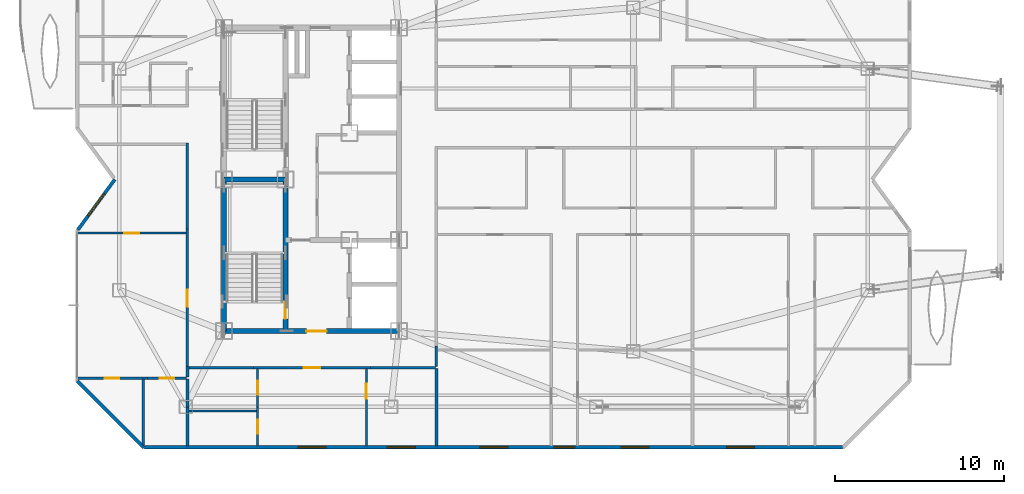
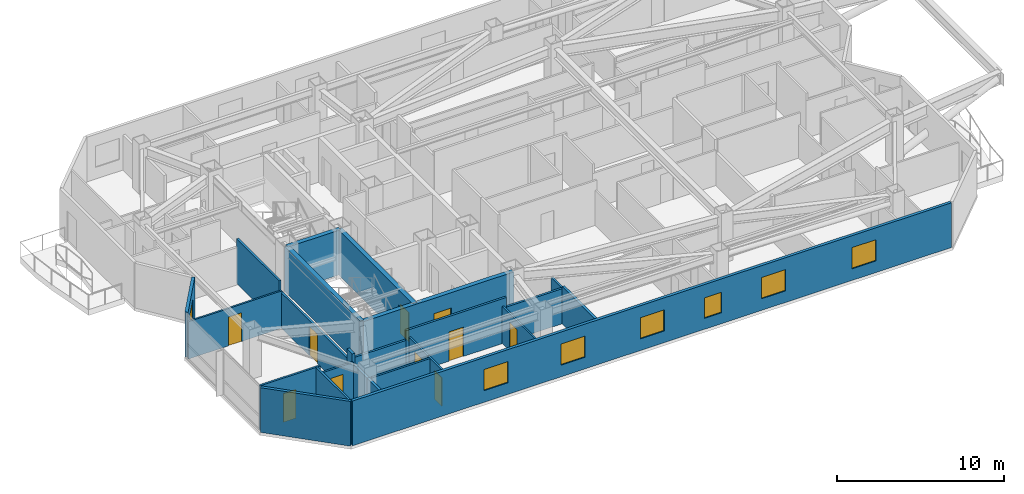
# One storey, part 8 of 14: 25 walls, 10 doors, 7 windows, 17 openings.
"""IFC4 building model written with IfcOpenShell, lengths in metres."""

import ifcopenshell
import ifcopenshell.guid

model = None  # the IFC model being written
_history = None  # IfcOwnerHistory: only IFC2X3 demands one
_inside = {}  # id of a spatial element -> (the spatial element, [elements in it])
_under = {}  # id of a project, library or spatial element -> (it, [spatial elements below it])
_declared = {}  # id of a project -> (the project, [libraries it declares])
_typed = {}  # id of a type object -> (the type object, [elements of that type])
_made_of = {}  # id of a material, layer set ... -> (it, [elements and type objects made of it])


def new_model(schema):
    """Start an empty IFC model of exactly this schema.

    Asked for "IFC4X3", IfcOpenShell would pick the latest addendum, in which some entities
    have other attributes; the version numbers below select the first issue.
    IFC2X3 requires an IfcOwnerHistory on every rooted entity: one is made here for all.
    """
    global model, _history
    if schema == "IFC4X3":
        model = ifcopenshell.file(schema_version=(4, 3, 0, 0))
    else:
        model = ifcopenshell.file(schema=schema)
    _inside.clear()
    _under.clear()
    _declared.clear()
    _typed.clear()
    _made_of.clear()
    _history = None
    if model.schema == "IFC2X3":
        org = make("IfcOrganization", Name="unknown")
        user = make(
            "IfcPersonAndOrganization",
            ThePerson=make("IfcPerson", FamilyName="unknown"),
            TheOrganization=org,
        )
        app = make(
            "IfcApplication",
            ApplicationDeveloper=org,
            Version="unknown",
            ApplicationFullName="unknown",
            ApplicationIdentifier="unknown",
        )
        _history = make(
            "IfcOwnerHistory",
            OwningUser=user,
            OwningApplication=app,
            ChangeAction="ADDED",
            CreationDate=0,
        )
    return model


def make(cls, **values):
    """One entity of the class cls with the attributes given. An attribute that is None is left unset."""
    return model.create_entity(
        cls, **{name: value for name, value in values.items() if value is not None}
    )


def rooted(cls, **values):
    """An entity with a GlobalId (a new one), such as an element, a storey or a relation."""
    return make(cls, GlobalId=ifcopenshell.guid.new(), OwnerHistory=_history, **values)


def si_unit(unit_type, name, prefix=None):
    """IfcSIUnit, for example si_unit("LENGTHUNIT", "METRE", prefix="MILLI")."""
    return make("IfcSIUnit", UnitType=unit_type, Prefix=prefix, Name=name)


def assignment(units):
    """IfcUnitAssignment: the units of a project."""
    return None if units is None else make("IfcUnitAssignment", Units=units)


def point(xyz):
    """IfcCartesianPoint."""
    return None if xyz is None else make("IfcCartesianPoint", Coordinates=xyz)


def direction(xyz):
    """IfcDirection."""
    return None if xyz is None else make("IfcDirection", DirectionRatios=xyz)


def frame(location, z_axis=None, x_axis=None):
    """IfcAxis2Placement3D, a coordinate frame: its origin and axes. An axis left out is left unset."""
    return make(
        "IfcAxis2Placement3D",
        Location=point(location),
        Axis=direction(z_axis),
        RefDirection=direction(x_axis),
    )


def frame_2d(location, x_axis=None):
    """IfcAxis2Placement2D, a coordinate frame in the plane: its origin and x axis."""
    return make(
        "IfcAxis2Placement2D", Location=point(location), RefDirection=direction(x_axis)
    )


def origin():
    """The frame at (0, 0, 0) with its axes left unset."""
    return frame((0.0, 0.0, 0.0))


def place(relative_to, where):
    """IfcLocalPlacement: puts the frame where relative to a parent placement (None: the world)."""
    return make(
        "IfcLocalPlacement", PlacementRelTo=relative_to, RelativePlacement=where
    )


def context(
    kind, dimensions, precision=None, world=None, true_north=None, identifier=None
):
    """IfcGeometricRepresentationContext, for example the 3D "Model" context."""
    return make(
        "IfcGeometricRepresentationContext",
        ContextIdentifier=identifier,
        ContextType=kind,
        CoordinateSpaceDimension=dimensions,
        Precision=precision,
        WorldCoordinateSystem=world,
        TrueNorth=true_north,
    )


def subcontext(parent, identifier, kind, view, scale=None):
    """IfcGeometricRepresentationSubContext, for example "Body" below "Model"."""
    return make(
        "IfcGeometricRepresentationSubContext",
        ContextIdentifier=identifier,
        ContextType=kind,
        ParentContext=parent,
        TargetScale=scale,
        TargetView=view,
    )


def project(units=None, contexts=None):
    """IfcProject with its units and contexts."""
    return rooted(
        "IfcProject",
        Name="project",
        RepresentationContexts=contexts,
        UnitsInContext=assignment(units),
    )


def spatial(cls, under=None, at=None, **own):
    """A site, building, storey or space (cls), placed at a placement, below another one or the project."""
    s = rooted(cls, ObjectPlacement=at, **own)
    if under is not None:
        _under.setdefault(under.id(), (under, []))[1].append(s)
    return s


def profile(cls, at=None, kind="AREA", **sizes):
    """A parametric profile (cls). Its sizes go by their IFC names, for example OverallWidth=200.0."""
    return make(cls, ProfileType=kind, Position=at, **sizes)


def rectangle(**sizes):
    """IfcRectangleProfileDef."""
    return profile("IfcRectangleProfileDef", **sizes)


def extrude(swept, where, along, depth):
    """IfcExtrudedAreaSolid: the profile swept, set in the frame where, extruded along a direction by depth."""
    return make(
        "IfcExtrudedAreaSolid",
        SweptArea=swept,
        Position=where,
        ExtrudedDirection=direction(along),
        Depth=depth,
    )


def shape(context_of_items, identifier, shape_type, items):
    """IfcShapeRepresentation: the items that make up one representation, for example the "Body"."""
    return make(
        "IfcShapeRepresentation",
        ContextOfItems=context_of_items,
        RepresentationIdentifier=identifier,
        RepresentationType=shape_type,
        Items=items,
    )


def material(Name=None, Category=None):
    """IfcMaterial."""
    return make("IfcMaterial", Name=Name, Category=Category)


def layer(
    of_material, thickness, ventilated=None, Name=None, Category=None, Priority=None
):
    """IfcMaterialLayer: one layer of a wall or slab, of a material (None: an air gap)."""
    return make(
        "IfcMaterialLayer",
        Material=of_material,
        LayerThickness=thickness,
        IsVentilated=ventilated,
        Name=Name,
        Category=Category,
        Priority=Priority,
    )


def layer_set(layers, Name=None):
    """IfcMaterialLayerSet."""
    return make("IfcMaterialLayerSet", MaterialLayers=layers, LayerSetName=Name)


def made_of(thing, what):
    """Note that an element or type object is made of a material, layer set ...; save() writes the relation."""
    if what is not None:
        _made_of.setdefault(what.id(), (what, []))[1].append(thing)
    return thing


def type_object(cls, material=None, **own):
    """A type object (cls), such as IfcWallType, which elements share."""
    return made_of(rooted(cls, **own), material)


def element(
    cls,
    number,
    at=None,
    inside=None,
    cuts=None,
    type_object=None,
    material=None,
    context=None,
    identifier="Body",
    shape_type=None,
    held_by="IfcProductDefinitionShape",
    body=None,
    shapes=None,
    **own,
):
    """One element of the class cls, such as IfcWall. Its Tag is "e" and its number.

    at: its placement. inside: the storey or other place that contains it. cuts: it is an
    opening in that element (IfcRelVoidsElement). A single representation is given by context,
    identifier, shape_type and body (its items); several are given by shapes. held_by: the class
    of the entity that holds the representations. save() writes the other relations.
    """
    e = rooted(cls, Tag="e%d" % number, ObjectPlacement=at, **own)
    if body is not None:
        shapes = [shape(context, identifier, shape_type, body)]
    if shapes is not None:
        e.Representation = make(held_by, Representations=shapes)
    if inside is not None:
        _inside.setdefault(inside.id(), (inside, []))[1].append(e)
    if cuts is not None:
        rooted(
            "IfcRelVoidsElement", RelatingBuildingElement=cuts, RelatedOpeningElement=e
        )
    if type_object is not None:
        _typed.setdefault(type_object.id(), (type_object, []))[1].append(e)
    return made_of(e, material)


def fill(opening, filler):
    """IfcRelFillsElement: the door or window that sits in an opening."""
    return rooted(
        "IfcRelFillsElement",
        RelatingOpeningElement=opening,
        RelatedBuildingElement=filler,
    )


def aggregate(whole, parts):
    """IfcRelAggregates: a whole, such as a stair, and the parts it consists of."""
    return rooted("IfcRelAggregates", RelatingObject=whole, RelatedObjects=parts)


def save(model, path):
    """Write the relations noted so far, then the file.

    IfcRelAggregates (storeys below a building ...), IfcRelContainedInSpatialStructure (elements
    in a storey), IfcRelDefinesByType, IfcRelAssociatesMaterial and IfcRelDeclares: one each for
    every whole, place, type object, material and project.
    """
    for whole, parts in _under.values():
        aggregate(whole, parts)
    for where, things in _inside.values():
        rooted(
            "IfcRelContainedInSpatialStructure",
            RelatedElements=things,
            RelatingStructure=where,
        )
    for kind, things in _typed.values():
        rooted("IfcRelDefinesByType", RelatedObjects=things, RelatingType=kind)
    for what, things in _made_of.values():
        rooted("IfcRelAssociatesMaterial", RelatedObjects=things, RelatingMaterial=what)
    for by, libraries in _declared.values():
        rooted("IfcRelDeclares", RelatingContext=by, RelatedDefinitions=libraries)
    model.write(path)


model = new_model("IFC4")

# Units and contexts
model_context = context("Model", 3, precision=1e-05, world=origin(), true_north=direction((0.0, 1.0)))
body_context = subcontext(model_context, "Body", "Model", "MODEL_VIEW")
ifc_project = project(units=[si_unit("LENGTHUNIT", "METRE"), si_unit("AREAUNIT", "SQUARE_METRE"), si_unit("VOLUMEUNIT", "CUBIC_METRE"), si_unit("PLANEANGLEUNIT", "RADIAN"), si_unit("MASSUNIT", "GRAM", prefix="KILO")], contexts=[model_context])

# Site, building, storey
site_placement = place(None, origin())
site = spatial("IfcSite", under=ifc_project, at=site_placement, CompositionType="ELEMENT")
building_placement = place(site_placement, origin())
building = spatial("IfcBuilding", under=site, at=building_placement, Name="Khamvora Tower", CompositionType="ELEMENT")
storey_placement = place(building_placement, frame((0.0, 0.0, 261.0)))
storey = spatial("IfcBuildingStorey", under=building, at=storey_placement, Name="L67", CompositionType="ELEMENT", Elevation=261.0)

# Wall
ifc_material_1 = material(Name="Concrete C50/60", Category="concrete")
ifc_layer_1 = layer(ifc_material_1, 0.300048828125)
ifc_layer_set_1 = layer_set([ifc_layer_1], Name="Concrete C50/60")
wall_type_1 = type_object("IfcWallType", Name="WAL-CORE-300", PredefinedType="SHEAR", material=ifc_layer_set_1)
wall_1_placement = place(storey_placement, frame((29.0, 19.0, 0.0), z_axis=(0.0, 0.0, 1.0), x_axis=(0.0, 1.0, 0.0)))
element("IfcWall", 1, at=wall_1_placement, inside=storey, type_object=wall_type_1, Name="L67 central core west south wall", PredefinedType="SHEAR", context=body_context, shape_type="SweptSolid", body=[
    extrude(rectangle(XDim=9.0, YDim=0.300048828125, at=frame_2d((4.5, 0.0))), origin(), (0.0, 0.0, 1.0), 3.27001953125),
])

# Wall, opening, door
wall_2_placement = place(storey_placement, frame((29.0, 19.0, 0.0), z_axis=(0.0, 0.0, 1.0), x_axis=(1.0, 0.0, 0.0)))
wall_2 = element("IfcWall", 2, at=wall_2_placement, inside=storey, type_object=wall_type_1, Name="L67 central core south wall", PredefinedType="SHEAR", context=body_context, shape_type="SweptSolid", body=[
    extrude(rectangle(XDim=10.39990234375, YDim=0.300048828125, at=frame_2d((5.199951171875, 0.0))), origin(), (0.0, 0.0, 1.0), 3.27001953125),
])
opening_1_placement = place(wall_2_placement, frame((4.89990234375, 0.0, 0.0)))
opening_1 = element("IfcOpeningElement", 3, at=opening_1_placement, cuts=wall_2, Name="Opening D-CR1", PredefinedType="OPENING", context=body_context, shape_type="SweptSolid", body=[
    extrude(rectangle(XDim=1.199951171875, YDim=2.14990234375, at=frame_2d((0.60009765625, 1.074951171875))), frame((0.0, 0.159912109375, 0.0), z_axis=(0.0, -1.0, 0.0), x_axis=(1.0, 0.0, 0.0)), (0.0, 0.0, 1.0), 0.320068359375),
])
ifc_material_2 = material(Name="Powder-Coated Steel and Hardwood Leaf", Category="steel")
door_type_1 = type_object("IfcDoorType", Name="DOR-CORR-1200", OperationType="NOTDEFINED", PredefinedType="DOOR", material=ifc_material_2)
door_1_placement = place(opening_1_placement, origin())
door_1 = element("IfcDoor", 4, at=door_1_placement, inside=storey, type_object=door_type_1, Name="L67 south core lobby to corridor fire door", OperationType="SINGLE_SWING_LEFT", OverallHeight=2.14990234375, OverallWidth=1.199951171875, PredefinedType="DOOR", context=body_context, shape_type="SweptSolid", body=[
    extrude(rectangle(XDim=1.199951171875, YDim=2.14990234375, at=frame_2d((0.60009765625, 1.074951171875))), frame((0.0, 0.02490234375, 0.0), z_axis=(0.0, -1.0, 0.0), x_axis=(1.0, 0.0, 0.0)), (0.0, 0.0, 1.0), 0.050048828125),
])
fill(opening_1, door_1)

wall_3_placement = place(storey_placement, frame((32.64990234375, 19.0, 0.0), z_axis=(0.0, 0.0, 1.0), x_axis=(0.0, 1.0, 0.0)))
wall_3 = element("IfcWall", 5, at=wall_3_placement, inside=storey, type_object=wall_type_1, Name="L67 central core stair south spine wall", PredefinedType="SHEAR", context=body_context, shape_type="SweptSolid", body=[
    extrude(rectangle(XDim=9.0, YDim=0.300048828125, at=frame_2d((4.5, 0.0))), origin(), (0.0, 0.0, 1.0), 3.27001953125),
])
opening_2_placement = place(wall_3_placement, frame((0.719970703125, 0.0, 0.0)))
opening_2 = element("IfcOpeningElement", 6, at=opening_2_placement, cuts=wall_3, Name="Opening D-ST1", PredefinedType="OPENING", context=body_context, shape_type="SweptSolid", body=[
    extrude(rectangle(XDim=1.0, YDim=2.14990234375, at=frame_2d((0.5, 1.074951171875))), frame((0.0, 0.159912109375, 0.0), z_axis=(0.0, -1.0, 0.0), x_axis=(1.0, 0.0, 0.0)), (0.0, 0.0, 1.0), 0.320068359375),
])
door_type_2 = type_object("IfcDoorType", Name="DOR-STAIR-1000", OperationType="NOTDEFINED", PredefinedType="DOOR", material=ifc_material_2)
door_2_placement = place(opening_2_placement, origin())
door_2 = element("IfcDoor", 7, at=door_2_placement, inside=storey, type_object=door_type_2, Name="L67 exit stair ST-01 fire door", OperationType="SINGLE_SWING_RIGHT", OverallHeight=2.14990234375, OverallWidth=1.0, PredefinedType="DOOR", context=body_context, shape_type="SweptSolid", body=[
    extrude(rectangle(XDim=1.0, YDim=2.14990234375, at=frame_2d((0.5, 1.074951171875))), frame((0.0, 0.02490234375, 0.0), z_axis=(0.0, -1.0, 0.0), x_axis=(1.0, 0.0, 0.0)), (0.0, 0.0, 1.0), 0.050048828125),
])
fill(opening_2, door_2)

# Wall
wall_4_placement = place(storey_placement, frame((29.0, 28.0, 0.0), z_axis=(0.0, 0.0, 1.0), x_axis=(1.0, 0.0, 0.0)))
element("IfcWall", 8, at=wall_4_placement, inside=storey, type_object=wall_type_1, Name="L67 central core stair cross wall", PredefinedType="SHEAR", context=body_context, shape_type="SweptSolid", body=[
    extrude(rectangle(XDim=3.64990234375, YDim=0.300048828125, at=frame_2d((1.824951171875, 0.0))), origin(), (0.0, 0.0, 1.0), 3.27001953125),
])

# Wall, opening, door
ifc_material_3 = material(Name="Fire-Rated Drywall and Steel Stud", Category="steel")
ifc_layer_2 = layer(ifc_material_3, 0.14990234375)
ifc_layer_set_2 = layer_set([ifc_layer_2], Name="Fire-Rated Drywall and Steel Stud")
wall_type_2 = type_object("IfcWallType", Name="WAL-CORR-150", PredefinedType="STANDARD", material=ifc_layer_set_2)
wall_5_placement = place(storey_placement, frame((26.8349609375, 16.89990234375, 0.0), z_axis=(0.0, 0.0, 1.0), x_axis=(0.0, 1.0, 0.0)))
wall_5 = element("IfcWall", 9, at=wall_5_placement, inside=storey, type_object=wall_type_2, Name="L67 interior partition wall 005", PredefinedType="STANDARD", context=body_context, shape_type="SweptSolid", body=[
    extrude(rectangle(XDim=8.1591796875, YDim=0.14990234375, at=frame_2d((4.07958984375, 0.0))), origin(), (0.0, 0.0, 1.0), 2.56494140625),
])
opening_3_placement = place(wall_5_placement, frame((3.55908203125, 0.0, 0.0)))
opening_3 = element("IfcOpeningElement", 10, at=opening_3_placement, cuts=wall_5, Name="Opening D-U1", PredefinedType="OPENING", context=body_context, shape_type="SweptSolid", body=[
    extrude(rectangle(XDim=1.0, YDim=2.14990234375, at=frame_2d((0.5, 1.074951171875))), frame((0.0, 0.0849609375, 0.0), z_axis=(0.0, -1.0, 0.0), x_axis=(1.0, 0.0, 0.0)), (0.0, 0.0, 1.0), 0.169921875),
])
door_type_3 = type_object("IfcDoorType", Name="DOR-UNIT-1000", OperationType="NOTDEFINED", PredefinedType="DOOR", material=ifc_material_2)
door_3_placement = place(opening_3_placement, origin())
door_3 = element("IfcDoor", 11, at=door_3_placement, inside=storey, type_object=door_type_3, Name="L67 interior door COR-67WAH", OperationType="SINGLE_SWING_LEFT", OverallHeight=2.14990234375, OverallWidth=1.0, PredefinedType="DOOR", context=body_context, shape_type="SweptSolid", body=[
    extrude(rectangle(XDim=1.0, YDim=2.14990234375, at=frame_2d((0.5, 1.074951171875))), frame((0.0, 0.02490234375, 0.0), z_axis=(0.0, -1.0, 0.0), x_axis=(1.0, 0.0, 0.0)), (0.0, 0.0, 1.0), 0.050048828125),
])
fill(opening_3, door_3)

# Wall
wall_6_placement = place(storey_placement, frame((26.8349609375, 25.05908203125, 0.0), z_axis=(0.0, 0.0, 1.0), x_axis=(0.0, 1.0, 0.0)))
element("IfcWall", 12, at=wall_6_placement, inside=storey, type_object=wall_type_2, Name="L67 interior partition wall 006", PredefinedType="STANDARD", context=body_context, shape_type="SweptSolid", body=[
    extrude(rectangle(XDim=5.0908203125, YDim=0.14990234375, at=frame_2d((2.54541015625, 0.0))), origin(), (0.0, 0.0, 1.0), 3.27001953125),
])

# Wall, opening, door
wall_7_placement = place(storey_placement, frame((37.698974609375, 16.8349609375, 0.0), z_axis=(0.0, 0.0, 1.0), x_axis=(-1.0, 0.0, 0.0)))
wall_7 = element("IfcWall", 13, at=wall_7_placement, inside=storey, type_object=wall_type_2, Name="L67 interior partition wall 012", PredefinedType="STANDARD", context=body_context, shape_type="SweptSolid", body=[
    extrude(rectangle(XDim=6.947998046875, YDim=0.14990234375, at=frame_2d((3.47412109375, 0.0))), origin(), (0.0, 0.0, 1.0), 3.27001953125),
])
opening_4_placement = place(wall_7_placement, frame((2.97412109375, 0.0, 0.0)))
opening_4 = element("IfcOpeningElement", 14, at=opening_4_placement, cuts=wall_7, Name="Opening D-U1", PredefinedType="OPENING", context=body_context, shape_type="SweptSolid", body=[
    extrude(rectangle(XDim=1.0, YDim=2.14990234375, at=frame_2d((0.5, 1.074951171875))), frame((0.0, 0.0849609375, 0.0), z_axis=(0.0, -1.0, 0.0), x_axis=(1.0, 0.0, 0.0)), (0.0, 0.0, 1.0), 0.169921875),
])
door_4_placement = place(opening_4_placement, origin())
door_4 = element("IfcDoor", 15, at=door_4_placement, inside=storey, type_object=door_type_3, Name="L67 interior door COR-67SAH", OperationType="SINGLE_SWING_LEFT", OverallHeight=2.14990234375, OverallWidth=1.0, PredefinedType="DOOR", context=body_context, shape_type="SweptSolid", body=[
    extrude(rectangle(XDim=1.0, YDim=2.14990234375, at=frame_2d((0.5, 1.074951171875))), frame((0.0, 0.02490234375, 0.0), z_axis=(0.0, -1.0, 0.0), x_axis=(1.0, 0.0, 0.0)), (0.0, 0.0, 1.0), 0.050048828125),
])
fill(opening_4, door_4)

# Walls
for number, where, z_axis, x_axis, name in (
    (16, (30.7509765625, 16.8349609375, 0.0), (0.0, 0.0, 1.0), (-1.0, 0.0, 0.0), "L67 interior partition wall 013"),
    (17, (41.550048828125, 16.8349609375, 0.0), (0.0, 0.0, 1.0), (-1.0, 0.0, 0.0), "L67 interior partition wall 014"),
):
    element("IfcWall", number, at=place(storey_placement, frame(where, z_axis=z_axis, x_axis=x_axis)), inside=storey, type_object=wall_type_2, Name=name, PredefinedType="STANDARD", context=body_context, shape_type="SweptSolid", body=[
        extrude(rectangle(XDim=3.85107421875, YDim=0.14990234375, at=frame_2d((1.925537109375, 0.0))), origin(), (0.0, 0.0, 1.0), 2.56494140625),
    ])
wall_8_placement = place(storey_placement, frame((41.614990234375, 18.114990234375, 0.0), z_axis=(0.0, 0.0, 1.0), x_axis=(0.0, -1.0, 0.0)))
element("IfcWall", 18, at=wall_8_placement, inside=storey, type_object=wall_type_2, Name="L67 interior partition wall 023", PredefinedType="STANDARD", context=body_context, shape_type="SweptSolid", body=[
    extrude(rectangle(XDim=1.215087890625, YDim=0.14990234375, at=frame_2d((0.607421875, 0.0))), origin(), (0.0, 0.0, 1.0), 2.56494140625),
])
ifc_material_4 = material(Name="Acoustic Double-Stud Fire Wall", Category="gypsum")
ifc_layer_3 = layer(ifc_material_4, 0.179931640625)
ifc_layer_set_3 = layer_set([ifc_layer_3], Name="Acoustic Double-Stud Fire Wall")
wall_type_3 = type_object("IfcWallType", Name="WAL-CORR-180", PredefinedType="STANDARD", material=ifc_layer_set_3)
wall_9_placement = place(storey_placement, frame((26.8349609375, 16.89990234375, 0.0), z_axis=(0.0, 0.0, 1.0), x_axis=(0.0, -1.0, 0.0)))
element("IfcWall", 19, at=wall_9_placement, inside=storey, type_object=wall_type_3, Name="L67 interior partition wall 039", PredefinedType="STANDARD", context=body_context, shape_type="SweptSolid", body=[
    extrude(rectangle(XDim=0.625, YDim=0.179931640625, at=frame_2d((0.3125, 0.0))), origin(), (0.0, 0.0, 1.0), 3.27001953125),
])
wall_10_placement = place(storey_placement, frame((26.8349609375, 14.509033203125, 0.0), z_axis=(0.0, 0.0, 1.0), x_axis=(0.0, -1.0, 0.0)))
element("IfcWall", 20, at=wall_10_placement, inside=storey, type_object=wall_type_3, Name="L67 interior partition wall 041", PredefinedType="STANDARD", context=body_context, shape_type="SweptSolid", body=[
    extrude(rectangle(XDim=2.317138671875, YDim=0.179931640625, at=frame_2d((1.15869140625, 0.0))), origin(), (0.0, 0.0, 1.0), 2.56494140625),
])
wall_11_placement = place(storey_placement, frame((26.8349609375, 16.14501953125, 0.0), z_axis=(0.0, 0.0, 1.0), x_axis=(0.0, -1.0, 0.0)))
element("IfcWall", 21, at=wall_11_placement, inside=storey, type_object=wall_type_3, Name="L67 interior partition wall 042", PredefinedType="STANDARD", context=body_context, shape_type="SweptSolid", body=[
    extrude(rectangle(XDim=1.635986328125, YDim=0.179931640625, at=frame_2d((0.81787109375, 0.0))), origin(), (0.0, 0.0, 1.0), 2.56494140625),
])
wall_12_placement = place(storey_placement, frame((41.614990234375, 16.77001953125, 0.0), z_axis=(0.0, 0.0, 1.0), x_axis=(0.0, -1.0, 0.0)))
element("IfcWall", 22, at=wall_12_placement, inside=storey, type_object=wall_type_3, Name="L67 interior partition wall 055", PredefinedType="STANDARD", context=body_context, shape_type="SweptSolid", body=[
    extrude(rectangle(XDim=4.578125, YDim=0.179931640625, at=frame_2d((2.2890625, 0.0))), origin(), (0.0, 0.0, 1.0), 2.72705078125),
])
ifc_material_5 = material(Name="Precast concrete C40/50", Category="concrete")
ifc_layer_4 = layer(ifc_material_5, 0.199951171875)
ifc_layer_set_4 = layer_set([ifc_layer_4], Name="Precast concrete C40/50")
wall_type_4 = type_object("IfcWallType", Name="WAL-EXT-200", PredefinedType="STANDARD", material=ifc_layer_set_4)
wall_13_placement = place(storey_placement, frame((24.240966796875, 12.10009765625, 0.0), z_axis=(0.0, 0.0, 1.0), x_axis=(-0.707106781187, 0.707106781187, 0.0)))
element("IfcWall", 23, at=wall_13_placement, inside=storey, type_object=wall_type_4, Name="L67 exterior facade wall 01.1", PredefinedType="STANDARD", context=body_context, shape_type="SweptSolid", body=[
    extrude(rectangle(XDim=5.5732421875, YDim=0.199951171875, at=frame_2d((2.78662109375, 0.0))), origin(), (0.0, 0.0, 1.0), 3.27001953125),
])

# Wall, opening, window
wall_14_placement = place(storey_placement, frame((20.3291015625, 25.007080078125, 0.0), z_axis=(0.0, 0.0, 1.0), x_axis=(0.591366515379, 0.806402904564, 0.0)))
wall_14 = element("IfcWall", 24, at=wall_14_placement, inside=storey, type_object=wall_type_4, Name="L67 exterior facade wall 03.1", PredefinedType="STANDARD", context=body_context, shape_type="SweptSolid", body=[
    extrude(rectangle(XDim=3.71142578125, YDim=0.199951171875, at=frame_2d((1.855712890625, 0.0))), origin(), (0.0, 0.0, 1.0), 3.27001953125),
])
opening_5_placement = place(wall_14_placement, frame((1.031005859375, 0.0, 0.85009765625)))
opening_5 = element("IfcOpeningElement", 25, at=opening_5_placement, cuts=wall_14, Name="Opening WN-06", PredefinedType="OPENING", context=body_context, shape_type="SweptSolid", body=[
    extrude(rectangle(XDim=1.64990234375, YDim=1.550048828125, at=frame_2d((0.824951171875, 0.77490234375))), frame((0.0, 0.10986328125, 0.0), z_axis=(0.0, -1.0, 0.0), x_axis=(1.0, 0.0, 0.0)), (0.0, 0.0, 1.0), 0.219970703125),
])
ifc_material_6 = material(Name="Low-E Laminated Double Glazing", Category="glass")
window_type_1 = type_object("IfcWindowType", Name="WIN-VIS-1650x1550", PartitioningType="SINGLE_PANEL", PredefinedType="WINDOW", material=ifc_material_6)
window_1_placement = place(opening_5_placement, origin())
window_1 = element("IfcWindow", 26, at=window_1_placement, inside=storey, type_object=window_type_1, Name="L67 vision window 03.1.01", OverallHeight=1.550048828125, OverallWidth=1.64990234375, PartitioningType="SINGLE_PANEL", PredefinedType="WINDOW", context=body_context, shape_type="SweptSolid", body=[
    extrude(rectangle(XDim=1.64990234375, YDim=1.550048828125, at=frame_2d((0.824951171875, 0.77490234375))), frame((0.0, 0.030029296875, 0.0), z_axis=(0.0, -1.0, 0.0), x_axis=(1.0, 0.0, 0.0)), (0.0, 0.0, 1.0), 0.06005859375),
])
fill(opening_5, window_1)

# Wall, openings, windows
wall_15_placement = place(storey_placement, frame((65.696044921875, 12.10009765625, 0.0), z_axis=(0.0, 0.0, 1.0), x_axis=(-1.0, 0.0, 0.0)))
wall_15 = element("IfcWall", 27, at=wall_15_placement, inside=storey, type_object=wall_type_4, Name="L67 exterior facade wall 14.1", PredefinedType="STANDARD", context=body_context, shape_type="SweptSolid", body=[
    extrude(rectangle(XDim=41.39306640625, YDim=0.199951171875, at=frame_2d((20.696533203125, 0.0))), origin(), (0.0, 0.0, 1.0), 3.27001953125),
])
opening_6_placement = place(wall_15_placement, frame((30.64599609375, 0.0, 0.85009765625)))
opening_6 = element("IfcOpeningElement", 28, at=opening_6_placement, cuts=wall_15, Name="Opening WN-06", PredefinedType="OPENING", context=body_context, shape_type="SweptSolid", body=[
    extrude(rectangle(XDim=1.64990234375, YDim=1.550048828125, at=frame_2d((0.824951171875, 0.77490234375))), frame((0.0, 0.10986328125, 0.0), z_axis=(0.0, -1.0, 0.0), x_axis=(1.0, 0.0, 0.0)), (0.0, 0.0, 1.0), 0.219970703125),
])
opening_7_placement = place(wall_15_placement, frame((25.339111328125, 0.0, 0.85009765625)))
opening_7 = element("IfcOpeningElement", 29, at=opening_7_placement, cuts=wall_15, Name="Opening WN-06", PredefinedType="OPENING", context=body_context, shape_type="SweptSolid", body=[
    extrude(rectangle(XDim=1.64990234375, YDim=1.550048828125, at=frame_2d((0.824951171875, 0.77490234375))), frame((0.0, 0.10986328125, 0.0), z_axis=(0.0, -1.0, 0.0), x_axis=(1.0, 0.0, 0.0)), (0.0, 0.0, 1.0), 0.219970703125),
])
opening_8_placement = place(wall_15_placement, frame((15.885986328125, 0.0, 0.800048828125)))
opening_8 = element("IfcOpeningElement", 30, at=opening_8_placement, cuts=wall_15, Name="Opening WN-03", PredefinedType="OPENING", context=body_context, shape_type="SweptSolid", body=[
    extrude(rectangle(XDim=1.199951171875, YDim=1.5, at=frame_2d((0.60009765625, 0.75))), frame((0.0, 0.10986328125, 0.0), z_axis=(0.0, -1.0, 0.0), x_axis=(1.0, 0.0, 0.0)), (0.0, 0.0, 1.0), 0.219970703125),
])
opening_9_placement = place(wall_15_placement, frame((19.85107421875, 0.0, 0.85009765625)))
opening_9 = element("IfcOpeningElement", 31, at=opening_9_placement, cuts=wall_15, Name="Opening WN-06", PredefinedType="OPENING", context=body_context, shape_type="SweptSolid", body=[
    extrude(rectangle(XDim=1.64990234375, YDim=1.550048828125, at=frame_2d((0.824951171875, 0.77490234375))), frame((0.0, 0.10986328125, 0.0), z_axis=(0.0, -1.0, 0.0), x_axis=(1.0, 0.0, 0.0)), (0.0, 0.0, 1.0), 0.219970703125),
])
opening_10_placement = place(wall_15_placement, frame((11.470947265625, 0.0, 0.85009765625)))
opening_10 = element("IfcOpeningElement", 32, at=opening_10_placement, cuts=wall_15, Name="Opening WN-06", PredefinedType="OPENING", context=body_context, shape_type="SweptSolid", body=[
    extrude(rectangle(XDim=1.64990234375, YDim=1.550048828125, at=frame_2d((0.824951171875, 0.77490234375))), frame((0.0, 0.10986328125, 0.0), z_axis=(0.0, -1.0, 0.0), x_axis=(1.0, 0.0, 0.0)), (0.0, 0.0, 1.0), 0.219970703125),
])
opening_11_placement = place(wall_15_placement, frame((5.220947265625, 0.0, 0.85009765625)))
opening_11 = element("IfcOpeningElement", 33, at=opening_11_placement, cuts=wall_15, Name="Opening WN-06", PredefinedType="OPENING", context=body_context, shape_type="SweptSolid", body=[
    extrude(rectangle(XDim=1.64990234375, YDim=1.550048828125, at=frame_2d((0.824951171875, 0.77490234375))), frame((0.0, 0.10986328125, 0.0), z_axis=(0.0, -1.0, 0.0), x_axis=(1.0, 0.0, 0.0)), (0.0, 0.0, 1.0), 0.219970703125),
])
window_type_2 = type_object("IfcWindowType", Name="WIN-VIS-1200x1500", PartitioningType="SINGLE_PANEL", PredefinedType="WINDOW", material=ifc_material_6)
window_2_placement = place(opening_8_placement, origin())
window_2 = element("IfcWindow", 34, at=window_2_placement, inside=storey, type_object=window_type_2, Name="L67 vision window 14.1.03", OverallHeight=1.5, OverallWidth=1.199951171875, PartitioningType="SINGLE_PANEL", PredefinedType="WINDOW", context=body_context, shape_type="SweptSolid", body=[
    extrude(rectangle(XDim=1.199951171875, YDim=1.5, at=frame_2d((0.60009765625, 0.75))), frame((0.0, 0.030029296875, 0.0), z_axis=(0.0, -1.0, 0.0), x_axis=(1.0, 0.0, 0.0)), (0.0, 0.0, 1.0), 0.06005859375),
])
fill(opening_8, window_2)
window_3_placement = place(opening_6_placement, origin())
window_3 = element("IfcWindow", 35, at=window_3_placement, inside=storey, type_object=window_type_1, Name="L67 vision window 14.1.01", OverallHeight=1.550048828125, OverallWidth=1.64990234375, PartitioningType="SINGLE_PANEL", PredefinedType="WINDOW", context=body_context, shape_type="SweptSolid", body=[
    extrude(rectangle(XDim=1.64990234375, YDim=1.550048828125, at=frame_2d((0.824951171875, 0.77490234375))), frame((0.0, 0.030029296875, 0.0), z_axis=(0.0, -1.0, 0.0), x_axis=(1.0, 0.0, 0.0)), (0.0, 0.0, 1.0), 0.06005859375),
])
fill(opening_6, window_3)
window_4_placement = place(opening_7_placement, origin())
window_4 = element("IfcWindow", 36, at=window_4_placement, inside=storey, type_object=window_type_1, Name="L67 vision window 14.1.02", OverallHeight=1.550048828125, OverallWidth=1.64990234375, PartitioningType="SINGLE_PANEL", PredefinedType="WINDOW", context=body_context, shape_type="SweptSolid", body=[
    extrude(rectangle(XDim=1.64990234375, YDim=1.550048828125, at=frame_2d((0.824951171875, 0.77490234375))), frame((0.0, 0.030029296875, 0.0), z_axis=(0.0, -1.0, 0.0), x_axis=(1.0, 0.0, 0.0)), (0.0, 0.0, 1.0), 0.06005859375),
])
fill(opening_7, window_4)
window_5_placement = place(opening_9_placement, origin())
window_5 = element("IfcWindow", 37, at=window_5_placement, inside=storey, type_object=window_type_1, Name="L67 vision window 14.1.04", OverallHeight=1.550048828125, OverallWidth=1.64990234375, PartitioningType="SINGLE_PANEL", PredefinedType="WINDOW", context=body_context, shape_type="SweptSolid", body=[
    extrude(rectangle(XDim=1.64990234375, YDim=1.550048828125, at=frame_2d((0.824951171875, 0.77490234375))), frame((0.0, 0.030029296875, 0.0), z_axis=(0.0, -1.0, 0.0), x_axis=(1.0, 0.0, 0.0)), (0.0, 0.0, 1.0), 0.06005859375),
])
fill(opening_9, window_5)
window_6_placement = place(opening_10_placement, origin())
window_6 = element("IfcWindow", 38, at=window_6_placement, inside=storey, type_object=window_type_1, Name="L67 vision window 14.1.05", OverallHeight=1.550048828125, OverallWidth=1.64990234375, PartitioningType="SINGLE_PANEL", PredefinedType="WINDOW", context=body_context, shape_type="SweptSolid", body=[
    extrude(rectangle(XDim=1.64990234375, YDim=1.550048828125, at=frame_2d((0.824951171875, 0.77490234375))), frame((0.0, 0.030029296875, 0.0), z_axis=(0.0, -1.0, 0.0), x_axis=(1.0, 0.0, 0.0)), (0.0, 0.0, 1.0), 0.06005859375),
])
fill(opening_10, window_6)
window_7_placement = place(opening_11_placement, origin())
window_7 = element("IfcWindow", 39, at=window_7_placement, inside=storey, type_object=window_type_1, Name="L67 vision window 14.1.06", OverallHeight=1.550048828125, OverallWidth=1.64990234375, PartitioningType="SINGLE_PANEL", PredefinedType="WINDOW", context=body_context, shape_type="SweptSolid", body=[
    extrude(rectangle(XDim=1.64990234375, YDim=1.550048828125, at=frame_2d((0.824951171875, 0.77490234375))), frame((0.0, 0.030029296875, 0.0), z_axis=(0.0, -1.0, 0.0), x_axis=(1.0, 0.0, 0.0)), (0.0, 0.0, 1.0), 0.06005859375),
])
fill(opening_11, window_7)

# Wall, opening, door
ifc_material_7 = material(Name="Gypsum Plasterboard Partition", Category="gypsum")
ifc_layer_5 = layer(ifc_material_7, 0.1201171875)
ifc_layer_set_5 = layer_set([ifc_layer_5], Name="Gypsum Plasterboard Partition")
wall_type_5 = type_object("IfcWallType", Name="WAL-PART-120", PredefinedType="PARTITIONING", material=ifc_layer_set_5)
wall_16_placement = place(storey_placement, frame((20.31005859375, 24.81005859375, 0.0), z_axis=(0.0, 0.0, 1.0), x_axis=(1.0, 0.0, 0.0)))
wall_16 = element("IfcWall", 40, at=wall_16_placement, inside=storey, type_object=wall_type_5, Name="L67 interior partition wall 038", PredefinedType="PARTITIONING", context=body_context, shape_type="SweptSolid", body=[
    extrude(rectangle(XDim=6.4599609375, YDim=0.1201171875, at=frame_2d((3.22998046875, 0.0))), origin(), (0.0, 0.0, 1.0), 2.72705078125),
])
opening_12_placement = place(wall_16_placement, frame((2.780029296875, 0.0, 0.0)))
opening_12 = element("IfcOpeningElement", 41, at=opening_12_placement, cuts=wall_16, Name="Opening D-RM1", PredefinedType="OPENING", context=body_context, shape_type="SweptSolid", body=[
    extrude(rectangle(XDim=0.89990234375, YDim=2.10009765625, at=frame_2d((0.449951171875, 1.050048828125))), frame((0.0, 0.070068359375, 0.0), z_axis=(0.0, -1.0, 0.0), x_axis=(1.0, 0.0, 0.0)), (0.0, 0.0, 1.0), 0.14013671875),
])
door_type_4 = type_object("IfcDoorType", Name="DOR-ROOM-900", OperationType="NOTDEFINED", PredefinedType="DOOR", material=ifc_material_2)
door_5_placement = place(opening_12_placement, origin())
door_5 = element("IfcDoor", 42, at=door_5_placement, inside=storey, type_object=door_type_4, Name="L67 interior door 67WAH-67WAR1", OperationType="SINGLE_SWING_LEFT", OverallHeight=2.10009765625, OverallWidth=0.89990234375, PredefinedType="DOOR", context=body_context, shape_type="SweptSolid", body=[
    extrude(rectangle(XDim=0.89990234375, YDim=2.10009765625, at=frame_2d((0.449951171875, 1.050048828125))), frame((0.0, 0.02490234375, 0.0), z_axis=(0.0, -1.0, 0.0), x_axis=(1.0, 0.0, 0.0)), (0.0, 0.0, 1.0), 0.050048828125),
])
fill(opening_12, door_5)

wall_17_placement = place(storey_placement, frame((37.449951171875, 16.77001953125, 0.0), z_axis=(0.0, 0.0, 1.0), x_axis=(0.0, -1.0, 0.0)))
wall_17 = element("IfcWall", 43, at=wall_17_placement, inside=storey, type_object=wall_type_5, Name="L67 interior partition wall 053", PredefinedType="PARTITIONING", context=body_context, shape_type="SweptSolid", body=[
    extrude(rectangle(XDim=4.578125, YDim=0.1201171875, at=frame_2d((2.2890625, 0.0))), origin(), (0.0, 0.0, 1.0), 2.72705078125),
])
opening_13_placement = place(wall_17_placement, frame((0.884033203125, 0.0, 0.0)))
opening_13 = element("IfcOpeningElement", 44, at=opening_13_placement, cuts=wall_17, Name="Opening D-RM1", PredefinedType="OPENING", context=body_context, shape_type="SweptSolid", body=[
    extrude(rectangle(XDim=0.89990234375, YDim=2.10009765625, at=frame_2d((0.449951171875, 1.050048828125))), frame((0.0, 0.070068359375, 0.0), z_axis=(0.0, -1.0, 0.0), x_axis=(1.0, 0.0, 0.0)), (0.0, 0.0, 1.0), 0.14013671875),
])
door_6_placement = place(opening_13_placement, origin())
door_6 = element("IfcDoor", 45, at=door_6_placement, inside=storey, type_object=door_type_4, Name="L67 interior door 67SAH-67SAR1", OperationType="SINGLE_SWING_LEFT", OverallHeight=2.10009765625, OverallWidth=0.89990234375, PredefinedType="DOOR", context=body_context, shape_type="SweptSolid", body=[
    extrude(rectangle(XDim=0.89990234375, YDim=2.10009765625, at=frame_2d((0.449951171875, 1.050048828125))), frame((0.0, 0.02490234375, 0.0), z_axis=(0.0, -1.0, 0.0), x_axis=(1.0, 0.0, 0.0)), (0.0, 0.0, 1.0), 0.050048828125),
])
fill(opening_13, door_6)

ifc_material_8 = material(Name="Moisture-Resistant Plasterboard Partition", Category="gypsum")
ifc_layer_6 = layer(ifc_material_8, 0.135009765625)
ifc_layer_set_6 = layer_set([ifc_layer_6], Name="Moisture-Resistant Plasterboard Partition")
wall_type_6 = type_object("IfcWallType", Name="WAL-WET-135", PredefinedType="PARTITIONING", material=ifc_layer_set_6)
wall_18_placement = place(storey_placement, frame((24.468994140625, 16.2099609375, 0.0), z_axis=(0.0, 0.0, 1.0), x_axis=(-1.0, 0.0, 0.0)))
wall_18 = element("IfcWall", 46, at=wall_18_placement, inside=storey, type_object=wall_type_6, Name="L67 interior partition wall 036", PredefinedType="PARTITIONING", context=body_context, shape_type="SweptSolid", body=[
    extrude(rectangle(XDim=4.158935546875, YDim=0.135009765625, at=frame_2d((2.07958984375, 0.0))), origin(), (0.0, 0.0, 1.0), 3.27001953125),
])
opening_14_placement = place(wall_18_placement, frame((1.675048828125, 0.0, 0.0)))
opening_14 = element("IfcOpeningElement", 47, at=opening_14_placement, cuts=wall_18, Name="Opening D-WC1", PredefinedType="OPENING", context=body_context, shape_type="SweptSolid", body=[
    extrude(rectangle(XDim=0.85009765625, YDim=2.10009765625, at=frame_2d((0.425048828125, 1.050048828125))), frame((0.0, 0.077392578125, 0.0), z_axis=(0.0, -1.0, 0.0), x_axis=(1.0, 0.0, 0.0)), (0.0, 0.0, 1.0), 0.155029296875),
])
door_type_5 = type_object("IfcDoorType", Name="DOR-WET-850", OperationType="NOTDEFINED", PredefinedType="DOOR", material=ifc_material_2)
door_7_placement = place(opening_14_placement, origin())
door_7 = element("IfcDoor", 48, at=door_7_placement, inside=storey, type_object=door_type_5, Name="L67 interior door 67WAH-67WAB", OperationType="SINGLE_SWING_LEFT", OverallHeight=2.10009765625, OverallWidth=0.85009765625, PredefinedType="DOOR", context=body_context, shape_type="SweptSolid", body=[
    extrude(rectangle(XDim=0.85009765625, YDim=2.10009765625, at=frame_2d((0.425048828125, 1.050048828125))), frame((0.0, 0.02490234375, 0.0), z_axis=(0.0, -1.0, 0.0), x_axis=(1.0, 0.0, 0.0)), (0.0, 0.0, 1.0), 0.050048828125),
])
fill(opening_14, door_7)

wall_19_placement = place(storey_placement, frame((26.77001953125, 16.2099609375, 0.0), z_axis=(0.0, 0.0, 1.0), x_axis=(-1.0, 0.0, 0.0)))
wall_19 = element("IfcWall", 49, at=wall_19_placement, inside=storey, type_object=wall_type_6, Name="L67 interior partition wall 037", PredefinedType="PARTITIONING", context=body_context, shape_type="SweptSolid", body=[
    extrude(rectangle(XDim=2.301025390625, YDim=0.135009765625, at=frame_2d((1.150390625, 0.0))), origin(), (0.0, 0.0, 1.0), 2.72705078125),
])
opening_15_placement = place(wall_19_placement, frame((0.72607421875, 0.0, 0.0)))
opening_15 = element("IfcOpeningElement", 50, at=opening_15_placement, cuts=wall_19, Name="Opening D-RM2", PredefinedType="OPENING", context=body_context, shape_type="SweptSolid", body=[
    extrude(rectangle(XDim=0.85009765625, YDim=2.10009765625, at=frame_2d((0.425048828125, 1.050048828125))), frame((0.0, 0.077392578125, 0.0), z_axis=(0.0, -1.0, 0.0), x_axis=(1.0, 0.0, 0.0)), (0.0, 0.0, 1.0), 0.155029296875),
])
door_type_6 = type_object("IfcDoorType", Name="DOR-ROOM-850", OperationType="NOTDEFINED", PredefinedType="DOOR", material=ifc_material_2)
door_8_placement = place(opening_15_placement, origin())
door_8 = element("IfcDoor", 51, at=door_8_placement, inside=storey, type_object=door_type_6, Name="L67 interior door 67WAH-67WAK", OperationType="SINGLE_SWING_RIGHT", OverallHeight=2.10009765625, OverallWidth=0.85009765625, PredefinedType="DOOR", context=body_context, shape_type="SweptSolid", body=[
    extrude(rectangle(XDim=0.85009765625, YDim=2.10009765625, at=frame_2d((0.425048828125, 1.050048828125))), frame((0.0, 0.02490234375, 0.0), z_axis=(0.0, -1.0, 0.0), x_axis=(1.0, 0.0, 0.0)), (0.0, 0.0, 1.0), 0.050048828125),
])
fill(opening_15, door_8)

# Wall
wall_20_placement = place(storey_placement, frame((24.219970703125, 16.14892578125, 0.0), z_axis=(0.0, 0.0, 1.0), x_axis=(0.0, -1.0, 0.0)))
element("IfcWall", 52, at=wall_20_placement, inside=storey, type_object=wall_type_6, Name="L67 interior partition wall 040", PredefinedType="PARTITIONING", context=body_context, shape_type="SweptSolid", body=[
    extrude(rectangle(XDim=3.912841796875, YDim=0.135009765625, at=frame_2d((1.95654296875, 0.0))), origin(), (0.0, 0.0, 1.0), 3.27001953125),
])

# Wall, opening, door
wall_21_placement = place(storey_placement, frame((31.0, 12.19189453125, 0.0), z_axis=(0.0, 0.0, 1.0), x_axis=(0.0, 1.0, 0.0)))
wall_21 = element("IfcWall", 53, at=wall_21_placement, inside=storey, type_object=wall_type_6, Name="L67 interior partition wall 051", PredefinedType="PARTITIONING", context=body_context, shape_type="SweptSolid", body=[
    extrude(rectangle(XDim=2.317138671875, YDim=0.135009765625, at=frame_2d((1.15869140625, 0.0))), origin(), (0.0, 0.0, 1.0), 2.72705078125),
])
opening_16_placement = place(wall_21_placement, frame((0.7119140625, 0.0, 0.0)))
opening_16 = element("IfcOpeningElement", 54, at=opening_16_placement, cuts=wall_21, Name="Opening D-WC1", PredefinedType="OPENING", context=body_context, shape_type="SweptSolid", body=[
    extrude(rectangle(XDim=0.85009765625, YDim=2.10009765625, at=frame_2d((0.425048828125, 1.050048828125))), frame((0.0, 0.077392578125, 0.0), z_axis=(0.0, -1.0, 0.0), x_axis=(1.0, 0.0, 0.0)), (0.0, 0.0, 1.0), 0.155029296875),
])
door_9_placement = place(opening_16_placement, origin())
door_9 = element("IfcDoor", 55, at=door_9_placement, inside=storey, type_object=door_type_5, Name="L67 interior door 67SAH-67SAB", OperationType="SINGLE_SWING_RIGHT", OverallHeight=2.10009765625, OverallWidth=0.85009765625, PredefinedType="DOOR", context=body_context, shape_type="SweptSolid", body=[
    extrude(rectangle(XDim=0.85009765625, YDim=2.10009765625, at=frame_2d((0.425048828125, 1.050048828125))), frame((0.0, 0.02490234375, 0.0), z_axis=(0.0, -1.0, 0.0), x_axis=(1.0, 0.0, 0.0)), (0.0, 0.0, 1.0), 0.050048828125),
])
fill(opening_16, door_9)

wall_22_placement = place(storey_placement, frame((31.0, 14.509033203125, 0.0), z_axis=(0.0, 0.0, 1.0), x_axis=(0.0, 1.0, 0.0)))
wall_22 = element("IfcWall", 56, at=wall_22_placement, inside=storey, type_object=wall_type_6, Name="L67 interior partition wall 052", PredefinedType="PARTITIONING", context=body_context, shape_type="SweptSolid", body=[
    extrude(rectangle(XDim=2.260986328125, YDim=0.135009765625, at=frame_2d((1.13037109375, 0.0))), origin(), (0.0, 0.0, 1.0), 2.72705078125),
])
opening_17_placement = place(wall_22_placement, frame((0.7060546875, 0.0, 0.0)))
opening_17 = element("IfcOpeningElement", 57, at=opening_17_placement, cuts=wall_22, Name="Opening D-RM2", PredefinedType="OPENING", context=body_context, shape_type="SweptSolid", body=[
    extrude(rectangle(XDim=0.85009765625, YDim=2.10009765625, at=frame_2d((0.425048828125, 1.050048828125))), frame((0.0, 0.077392578125, 0.0), z_axis=(0.0, -1.0, 0.0), x_axis=(1.0, 0.0, 0.0)), (0.0, 0.0, 1.0), 0.155029296875),
])
door_10_placement = place(opening_17_placement, origin())
door_10 = element("IfcDoor", 58, at=door_10_placement, inside=storey, type_object=door_type_6, Name="L67 interior door 67SAH-67SAK", OperationType="SINGLE_SWING_LEFT", OverallHeight=2.10009765625, OverallWidth=0.85009765625, PredefinedType="DOOR", context=body_context, shape_type="SweptSolid", body=[
    extrude(rectangle(XDim=0.85009765625, YDim=2.10009765625, at=frame_2d((0.425048828125, 1.050048828125))), frame((0.0, 0.02490234375, 0.0), z_axis=(0.0, -1.0, 0.0), x_axis=(1.0, 0.0, 0.0)), (0.0, 0.0, 1.0), 0.050048828125),
])
fill(opening_17, door_10)

# Wall
wall_23_placement = place(storey_placement, frame((26.9169921875, 14.260009765625, 0.0), z_axis=(0.0, 0.0, 1.0), x_axis=(1.0, 0.0, 0.0)))
element("IfcWall", 59, at=wall_23_placement, inside=storey, type_object=wall_type_6, Name="L67 interior partition wall 054", PredefinedType="PARTITIONING", context=body_context, shape_type="SweptSolid", body=[
    extrude(rectangle(XDim=4.02197265625, YDim=0.135009765625, at=frame_2d((2.010986328125, 0.0))), origin(), (0.0, 0.0, 1.0), 2.72705078125),
])

save(model, "model.ifc")
